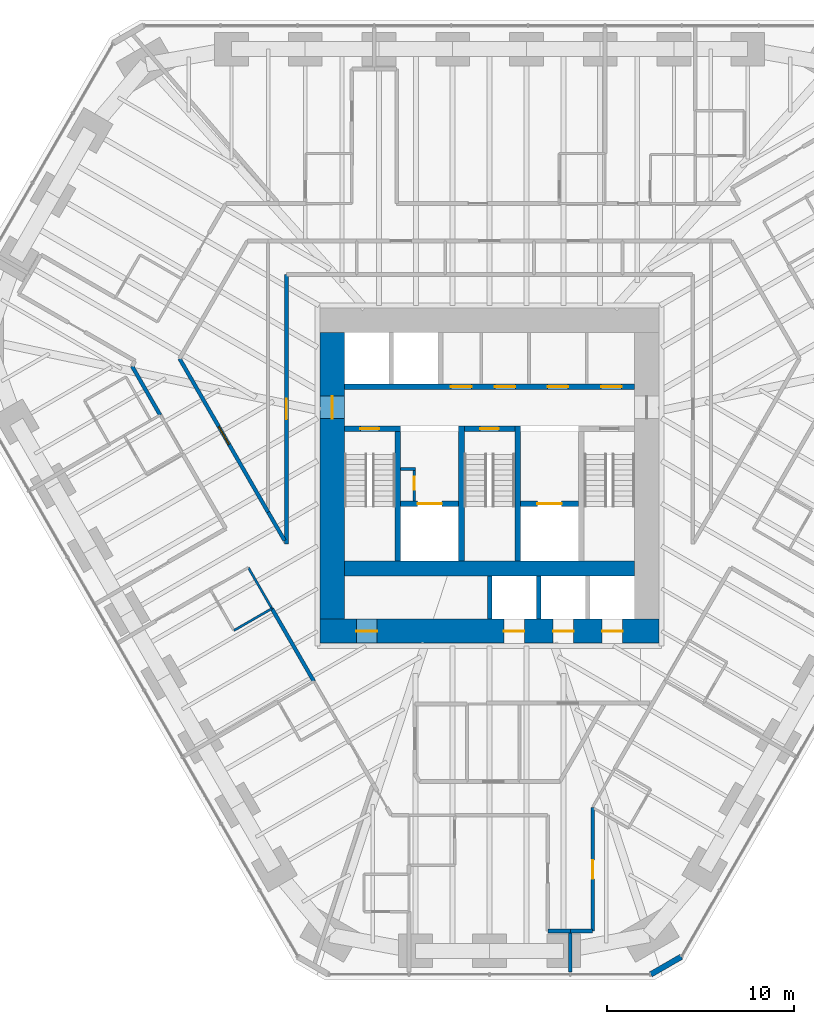
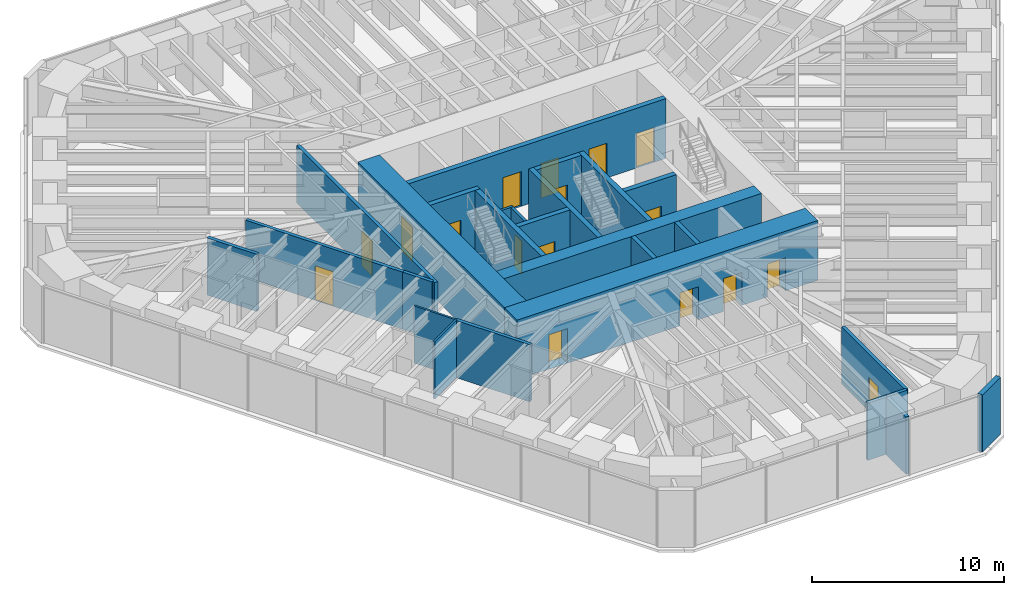
# One storey, part 12 of 16: 27 walls, 17 doors, 17 openings.
"""IFC4 building model written with IfcOpenShell, lengths in metres."""

import ifcopenshell
import ifcopenshell.guid

model = None  # the IFC model being written
_history = None  # IfcOwnerHistory: only IFC2X3 demands one
_inside = {}  # id of a spatial element -> (the spatial element, [elements in it])
_under = {}  # id of a project, library or spatial element -> (it, [spatial elements below it])
_declared = {}  # id of a project -> (the project, [libraries it declares])
_typed = {}  # id of a type object -> (the type object, [elements of that type])
_made_of = {}  # id of a material, layer set ... -> (it, [elements and type objects made of it])


def new_model(schema):
    """Start an empty IFC model of exactly this schema.

    Asked for "IFC4X3", IfcOpenShell would pick the latest addendum, in which some entities
    have other attributes; the version numbers below select the first issue.
    IFC2X3 requires an IfcOwnerHistory on every rooted entity: one is made here for all.
    """
    global model, _history
    if schema == "IFC4X3":
        model = ifcopenshell.file(schema_version=(4, 3, 0, 0))
    else:
        model = ifcopenshell.file(schema=schema)
    _inside.clear()
    _under.clear()
    _declared.clear()
    _typed.clear()
    _made_of.clear()
    _history = None
    if model.schema == "IFC2X3":
        org = make("IfcOrganization", Name="unknown")
        user = make(
            "IfcPersonAndOrganization",
            ThePerson=make("IfcPerson", FamilyName="unknown"),
            TheOrganization=org,
        )
        app = make(
            "IfcApplication",
            ApplicationDeveloper=org,
            Version="unknown",
            ApplicationFullName="unknown",
            ApplicationIdentifier="unknown",
        )
        _history = make(
            "IfcOwnerHistory",
            OwningUser=user,
            OwningApplication=app,
            ChangeAction="ADDED",
            CreationDate=0,
        )
    return model


def make(cls, **values):
    """One entity of the class cls with the attributes given. An attribute that is None is left unset."""
    return model.create_entity(
        cls, **{name: value for name, value in values.items() if value is not None}
    )


def rooted(cls, **values):
    """An entity with a GlobalId (a new one), such as an element, a storey or a relation."""
    return make(cls, GlobalId=ifcopenshell.guid.new(), OwnerHistory=_history, **values)


def si_unit(unit_type, name, prefix=None):
    """IfcSIUnit, for example si_unit("LENGTHUNIT", "METRE", prefix="MILLI")."""
    return make("IfcSIUnit", UnitType=unit_type, Prefix=prefix, Name=name)


def assignment(units):
    """IfcUnitAssignment: the units of a project."""
    return None if units is None else make("IfcUnitAssignment", Units=units)


def point(xyz):
    """IfcCartesianPoint."""
    return None if xyz is None else make("IfcCartesianPoint", Coordinates=xyz)


def direction(xyz):
    """IfcDirection."""
    return None if xyz is None else make("IfcDirection", DirectionRatios=xyz)


def frame(location, z_axis=None, x_axis=None):
    """IfcAxis2Placement3D, a coordinate frame: its origin and axes. An axis left out is left unset."""
    return make(
        "IfcAxis2Placement3D",
        Location=point(location),
        Axis=direction(z_axis),
        RefDirection=direction(x_axis),
    )


def frame_2d(location, x_axis=None):
    """IfcAxis2Placement2D, a coordinate frame in the plane: its origin and x axis."""
    return make(
        "IfcAxis2Placement2D", Location=point(location), RefDirection=direction(x_axis)
    )


def origin():
    """The frame at (0, 0, 0) with its axes left unset."""
    return frame((0.0, 0.0, 0.0))


def place(relative_to, where):
    """IfcLocalPlacement: puts the frame where relative to a parent placement (None: the world)."""
    return make(
        "IfcLocalPlacement", PlacementRelTo=relative_to, RelativePlacement=where
    )


def context(
    kind, dimensions, precision=None, world=None, true_north=None, identifier=None
):
    """IfcGeometricRepresentationContext, for example the 3D "Model" context."""
    return make(
        "IfcGeometricRepresentationContext",
        ContextIdentifier=identifier,
        ContextType=kind,
        CoordinateSpaceDimension=dimensions,
        Precision=precision,
        WorldCoordinateSystem=world,
        TrueNorth=true_north,
    )


def subcontext(parent, identifier, kind, view, scale=None):
    """IfcGeometricRepresentationSubContext, for example "Body" below "Model"."""
    return make(
        "IfcGeometricRepresentationSubContext",
        ContextIdentifier=identifier,
        ContextType=kind,
        ParentContext=parent,
        TargetScale=scale,
        TargetView=view,
    )


def project(units=None, contexts=None):
    """IfcProject with its units and contexts."""
    return rooted(
        "IfcProject",
        Name="project",
        RepresentationContexts=contexts,
        UnitsInContext=assignment(units),
    )


def spatial(cls, under=None, at=None, **own):
    """A site, building, storey or space (cls), placed at a placement, below another one or the project."""
    s = rooted(cls, ObjectPlacement=at, **own)
    if under is not None:
        _under.setdefault(under.id(), (under, []))[1].append(s)
    return s


def profile(cls, at=None, kind="AREA", **sizes):
    """A parametric profile (cls). Its sizes go by their IFC names, for example OverallWidth=200.0."""
    return make(cls, ProfileType=kind, Position=at, **sizes)


def rectangle(**sizes):
    """IfcRectangleProfileDef."""
    return profile("IfcRectangleProfileDef", **sizes)


def extrude(swept, where, along, depth):
    """IfcExtrudedAreaSolid: the profile swept, set in the frame where, extruded along a direction by depth."""
    return make(
        "IfcExtrudedAreaSolid",
        SweptArea=swept,
        Position=where,
        ExtrudedDirection=direction(along),
        Depth=depth,
    )


def shape(context_of_items, identifier, shape_type, items):
    """IfcShapeRepresentation: the items that make up one representation, for example the "Body"."""
    return make(
        "IfcShapeRepresentation",
        ContextOfItems=context_of_items,
        RepresentationIdentifier=identifier,
        RepresentationType=shape_type,
        Items=items,
    )


def material(Name=None, Category=None):
    """IfcMaterial."""
    return make("IfcMaterial", Name=Name, Category=Category)


def layer(
    of_material, thickness, ventilated=None, Name=None, Category=None, Priority=None
):
    """IfcMaterialLayer: one layer of a wall or slab, of a material (None: an air gap)."""
    return make(
        "IfcMaterialLayer",
        Material=of_material,
        LayerThickness=thickness,
        IsVentilated=ventilated,
        Name=Name,
        Category=Category,
        Priority=Priority,
    )


def layer_set(layers, Name=None):
    """IfcMaterialLayerSet."""
    return make("IfcMaterialLayerSet", MaterialLayers=layers, LayerSetName=Name)


def made_of(thing, what):
    """Note that an element or type object is made of a material, layer set ...; save() writes the relation."""
    if what is not None:
        _made_of.setdefault(what.id(), (what, []))[1].append(thing)
    return thing


def type_object(cls, material=None, **own):
    """A type object (cls), such as IfcWallType, which elements share."""
    return made_of(rooted(cls, **own), material)


def element(
    cls,
    number,
    at=None,
    inside=None,
    cuts=None,
    type_object=None,
    material=None,
    context=None,
    identifier="Body",
    shape_type=None,
    held_by="IfcProductDefinitionShape",
    body=None,
    shapes=None,
    **own,
):
    """One element of the class cls, such as IfcWall. Its Tag is "e" and its number.

    at: its placement. inside: the storey or other place that contains it. cuts: it is an
    opening in that element (IfcRelVoidsElement). A single representation is given by context,
    identifier, shape_type and body (its items); several are given by shapes. held_by: the class
    of the entity that holds the representations. save() writes the other relations.
    """
    e = rooted(cls, Tag="e%d" % number, ObjectPlacement=at, **own)
    if body is not None:
        shapes = [shape(context, identifier, shape_type, body)]
    if shapes is not None:
        e.Representation = make(held_by, Representations=shapes)
    if inside is not None:
        _inside.setdefault(inside.id(), (inside, []))[1].append(e)
    if cuts is not None:
        rooted(
            "IfcRelVoidsElement", RelatingBuildingElement=cuts, RelatedOpeningElement=e
        )
    if type_object is not None:
        _typed.setdefault(type_object.id(), (type_object, []))[1].append(e)
    return made_of(e, material)


def fill(opening, filler):
    """IfcRelFillsElement: the door or window that sits in an opening."""
    return rooted(
        "IfcRelFillsElement",
        RelatingOpeningElement=opening,
        RelatedBuildingElement=filler,
    )


def aggregate(whole, parts):
    """IfcRelAggregates: a whole, such as a stair, and the parts it consists of."""
    return rooted("IfcRelAggregates", RelatingObject=whole, RelatedObjects=parts)


def save(model, path):
    """Write the relations noted so far, then the file.

    IfcRelAggregates (storeys below a building ...), IfcRelContainedInSpatialStructure (elements
    in a storey), IfcRelDefinesByType, IfcRelAssociatesMaterial and IfcRelDeclares: one each for
    every whole, place, type object, material and project.
    """
    for whole, parts in _under.values():
        aggregate(whole, parts)
    for where, things in _inside.values():
        rooted(
            "IfcRelContainedInSpatialStructure",
            RelatedElements=things,
            RelatingStructure=where,
        )
    for kind, things in _typed.values():
        rooted("IfcRelDefinesByType", RelatedObjects=things, RelatingType=kind)
    for what, things in _made_of.values():
        rooted("IfcRelAssociatesMaterial", RelatedObjects=things, RelatingMaterial=what)
    for by, libraries in _declared.values():
        rooted("IfcRelDeclares", RelatingContext=by, RelatedDefinitions=libraries)
    model.write(path)


model = new_model("IFC4")

# Units and contexts
model_context = context("Model", 3, precision=1e-05, world=origin(), true_north=direction((0.0, 1.0)))
body_context = subcontext(model_context, "Body", "Model", "MODEL_VIEW")
ifc_project = project(units=[si_unit("LENGTHUNIT", "METRE"), si_unit("AREAUNIT", "SQUARE_METRE"), si_unit("VOLUMEUNIT", "CUBIC_METRE"), si_unit("PLANEANGLEUNIT", "RADIAN"), si_unit("MASSUNIT", "GRAM", prefix="KILO")], contexts=[model_context])

# Site, building, storey
site_placement = place(None, origin())
site = spatial("IfcSite", under=ifc_project, at=site_placement, CompositionType="ELEMENT")
building_placement = place(site_placement, origin())
building = spatial("IfcBuilding", under=site, at=building_placement, Name="Sandreach Pilgrim Tower", CompositionType="ELEMENT")
storey_placement = place(building_placement, frame((0.0, 0.0, 115.800048828125)))
storey = spatial("IfcBuildingStorey", under=building, at=storey_placement, Name="L28", CompositionType="ELEMENT", Elevation=115.800048828125)

# Walls
ifc_material_1 = material(Name="Moisture-resistant gypsum board on steel studs", Category="steel")
ifc_layer_1 = layer(ifc_material_1, 0.1201171875)
ifc_layer_set_1 = layer_set([ifc_layer_1], Name="Bathroom partition 120")
wall_type_1 = type_object("IfcWallType", Name="Bathroom partition 120", PredefinedType="PARTITIONING", material=ifc_layer_set_1)
wall_1_placement = place(storey_placement, frame((-13.659912109375, -9.820068359375, 0.0), z_axis=(0.0, 0.0, 1.0), x_axis=(0.866345142729, 0.499445786517, 0.0)))
element("IfcWall", 1, at=wall_1_placement, inside=storey, type_object=wall_type_1, Name="Bathroom partition L28-030", PredefinedType="PARTITIONING", context=body_context, shape_type="SweptSolid", body=[
    extrude(rectangle(XDim=2.343017578125, YDim=0.1201171875, at=frame_2d((1.17138671875, 0.0))), origin(), (0.0, 0.0, 1.0), 3.639892578125),
])
wall_2_placement = place(storey_placement, frame((-12.889892578125, -6.4599609375, 0.0), z_axis=(0.0, 0.0, 1.0), x_axis=(0.498707120669, -0.866770562372, 0.0)))
element("IfcWall", 2, at=wall_2_placement, inside=storey, type_object=wall_type_1, Name="Bathroom partition L28-032", PredefinedType="PARTITIONING", context=body_context, shape_type="SweptSolid", body=[
    extrude(rectangle(XDim=2.526611328125, YDim=0.1201171875, at=frame_2d((1.26318359375, 0.0))), origin(), (0.0, 0.0, 1.0), 3.639892578125),
])
ifc_material_2 = material(Name="Concrete 10000 psi", Category="concrete")
ifc_layer_2 = layer(ifc_material_2, 0.300048828125)
ifc_layer_set_2 = layer_set([ifc_layer_2], Name="Core inner wall 300")
wall_type_2 = type_object("IfcWallType", Name="Core inner wall 300", PredefinedType="SHEAR", material=ifc_layer_set_2)
for number, where, z_axis, x_axis, name in (
    (3, (-4.89990234375, -6.10009765625, 0.0), (0.0, 0.0, 1.0), (0.0, 1.0, 0.0), "Core wall I0 L28"),
    (4, (-1.5, -6.10009765625, 0.0), (0.0, 0.0, 1.0), (0.0, 1.0, 0.0), "Core wall I1 L28"),
    (5, (1.5, -6.10009765625, 0.0), (0.0, 0.0, 1.0), (0.0, 1.0, 0.0), "Core wall I2 L28"),
):
    element("IfcWall", number, at=place(storey_placement, frame(where, z_axis=z_axis, x_axis=x_axis)), inside=storey, type_object=wall_type_2, Name=name, PredefinedType="SHEAR", context=body_context, shape_type="SweptSolid", body=[
        extrude(rectangle(XDim=7.2001953125, YDim=0.300048828125, at=frame_2d((3.60009765625, 0.0))), origin(), (0.0, 0.0, 1.0), 3.800048828125),
    ])

# Wall, opening, door
wall_3_placement = place(storey_placement, frame((-7.75, 0.949951171875, 0.0), z_axis=(0.0, 0.0, 1.0), x_axis=(1.0, 0.0, 0.0)))
wall_3 = element("IfcWall", 6, at=wall_3_placement, inside=storey, type_object=wall_type_2, Name="Core wall SN1 L28", PredefinedType="SHEAR", context=body_context, shape_type="SweptSolid", body=[
    extrude(rectangle(XDim=3.0, YDim=0.300048828125, at=frame_2d((1.5, 0.0))), origin(), (0.0, 0.0, 1.0), 3.800048828125),
])
opening_1_placement = place(wall_3_placement, frame((0.85009765625, 0.0, 0.0)))
opening_1 = element("IfcOpeningElement", 7, at=opening_1_placement, cuts=wall_3, Name="Opening D10S-ST1", PredefinedType="OPENING", context=body_context, shape_type="SweptSolid", body=[
    extrude(rectangle(XDim=1.0, YDim=2.199951171875, at=frame_2d((0.5, 1.10009765625))), frame((0.0, 0.14990234375, 0.0), z_axis=(0.0, -1.0, 0.0), x_axis=(1.0, 0.0, 0.0)), (0.0, 0.0, 1.0), 0.300048828125),
])
ifc_material_3 = material(Name="Steel door and frame", Category="steel")
door_type_1 = type_object("IfcDoorType", Name="Stair door", OperationType="SINGLE_SWING_LEFT", PredefinedType="DOOR", material=ifc_material_3)
door_1_placement = place(opening_1_placement, origin())
door_1 = element("IfcDoor", 8, at=door_1_placement, inside=storey, type_object=door_type_1, Name="Stair door ST1 L28", OperationType="SINGLE_SWING_LEFT", OverallHeight=2.199951171875, OverallWidth=1.0, PredefinedType="DOOR", context=body_context, shape_type="SweptSolid", body=[
    extrude(rectangle(XDim=1.0, YDim=2.199951171875, at=frame_2d((0.5, 1.10009765625))), frame((0.0, 0.02490234375, 0.0), z_axis=(0.0, -1.0, 0.0), x_axis=(1.0, 0.0, 0.0)), (0.0, 0.0, 1.0), 0.050048828125),
])
fill(opening_1, door_1)

wall_4_placement = place(storey_placement, frame((-1.35009765625, 0.949951171875, 0.0), z_axis=(0.0, 0.0, 1.0), x_axis=(1.0, 0.0, 0.0)))
wall_4 = element("IfcWall", 9, at=wall_4_placement, inside=storey, type_object=wall_type_2, Name="Core wall SN3 L28", PredefinedType="SHEAR", context=body_context, shape_type="SweptSolid", body=[
    extrude(rectangle(XDim=2.7001953125, YDim=0.300048828125, at=frame_2d((1.35009765625, 0.0))), origin(), (0.0, 0.0, 1.0), 3.800048828125),
])
opening_2_placement = place(wall_4_placement, frame((0.85009765625, 0.0, 0.0)))
opening_2 = element("IfcOpeningElement", 10, at=opening_2_placement, cuts=wall_4, Name="Opening D10S-ST3", PredefinedType="OPENING", context=body_context, shape_type="SweptSolid", body=[
    extrude(rectangle(XDim=1.0, YDim=2.199951171875, at=frame_2d((0.5, 1.10009765625))), frame((0.0, 0.14990234375, 0.0), z_axis=(0.0, -1.0, 0.0), x_axis=(1.0, 0.0, 0.0)), (0.0, 0.0, 1.0), 0.300048828125),
])
door_2_placement = place(opening_2_placement, origin())
door_2 = element("IfcDoor", 11, at=door_2_placement, inside=storey, type_object=door_type_1, Name="Stair door ST3 L28", OperationType="SINGLE_SWING_LEFT", OverallHeight=2.199951171875, OverallWidth=1.0, PredefinedType="DOOR", context=body_context, shape_type="SweptSolid", body=[
    extrude(rectangle(XDim=1.0, YDim=2.199951171875, at=frame_2d((0.5, 1.10009765625))), frame((0.0, 0.02490234375, 0.0), z_axis=(0.0, -1.0, 0.0), x_axis=(1.0, 0.0, 0.0)), (0.0, 0.0, 1.0), 0.050048828125),
])
fill(opening_2, door_2)

wall_5_placement = place(storey_placement, frame((-4.75, -3.050048828125, 0.0), z_axis=(0.0, 0.0, 1.0), x_axis=(1.0, 0.0, 0.0)))
wall_5 = element("IfcWall", 12, at=wall_5_placement, inside=storey, type_object=wall_type_2, Name="Core wall FL1 L28", PredefinedType="SHEAR", context=body_context, shape_type="SweptSolid", body=[
    extrude(rectangle(XDim=3.10009765625, YDim=0.300048828125, at=frame_2d((1.550048828125, 0.0))), origin(), (0.0, 0.0, 1.0), 3.800048828125),
])
opening_3_placement = place(wall_5_placement, frame((0.89990234375, 0.0, 0.0)))
opening_3 = element("IfcOpeningElement", 13, at=opening_3_placement, cuts=wall_5, Name="Opening LD13", PredefinedType="OPENING", context=body_context, shape_type="SweptSolid", body=[
    extrude(rectangle(XDim=1.300048828125, YDim=2.10009765625, at=frame_2d((0.64990234375, 1.050048828125))), frame((0.0, 0.14990234375, 0.0), z_axis=(0.0, -1.0, 0.0), x_axis=(1.0, 0.0, 0.0)), (0.0, 0.0, 1.0), 0.300048828125),
])
ifc_material_4 = material(Name="Steel door and frame", Category="steel")
door_type_2 = type_object("IfcDoorType", Name="Fire service lift landing door", OperationType="DOUBLE_DOOR_SLIDING", PredefinedType="DOOR", material=ifc_material_4)
door_3_placement = place(opening_3_placement, origin())
door_3 = element("IfcDoor", 14, at=door_3_placement, inside=storey, type_object=door_type_2, Name="Lift landing door FS1 L28", OperationType="DOUBLE_DOOR_SLIDING", OverallHeight=2.10009765625, OverallWidth=1.300048828125, PredefinedType="DOOR", context=body_context, shape_type="SweptSolid", body=[
    extrude(rectangle(XDim=1.300048828125, YDim=2.10009765625, at=frame_2d((0.64990234375, 1.050048828125))), frame((0.0, 0.02490234375, 0.0), z_axis=(0.0, -1.0, 0.0), x_axis=(1.0, 0.0, 0.0)), (0.0, 0.0, 1.0), 0.050048828125),
])
fill(opening_3, door_3)

wall_6_placement = place(storey_placement, frame((1.64990234375, -3.050048828125, 0.0), z_axis=(0.0, 0.0, 1.0), x_axis=(1.0, 0.0, 0.0)))
wall_6 = element("IfcWall", 15, at=wall_6_placement, inside=storey, type_object=wall_type_2, Name="Core wall FL2 L28", PredefinedType="SHEAR", context=body_context, shape_type="SweptSolid", body=[
    extrude(rectangle(XDim=3.10009765625, YDim=0.300048828125, at=frame_2d((1.550048828125, 0.0))), origin(), (0.0, 0.0, 1.0), 3.800048828125),
])
opening_4_placement = place(wall_6_placement, frame((0.89990234375, 0.0, 0.0)))
opening_4 = element("IfcOpeningElement", 16, at=opening_4_placement, cuts=wall_6, Name="Opening LD13", PredefinedType="OPENING", context=body_context, shape_type="SweptSolid", body=[
    extrude(rectangle(XDim=1.300048828125, YDim=2.10009765625, at=frame_2d((0.64990234375, 1.050048828125))), frame((0.0, 0.14990234375, 0.0), z_axis=(0.0, -1.0, 0.0), x_axis=(1.0, 0.0, 0.0)), (0.0, 0.0, 1.0), 0.300048828125),
])
door_4_placement = place(opening_4_placement, origin())
door_4 = element("IfcDoor", 17, at=door_4_placement, inside=storey, type_object=door_type_2, Name="Lift landing door FS2 L28", OperationType="DOUBLE_DOOR_SLIDING", OverallHeight=2.10009765625, OverallWidth=1.300048828125, PredefinedType="DOOR", context=body_context, shape_type="SweptSolid", body=[
    extrude(rectangle(XDim=1.300048828125, YDim=2.10009765625, at=frame_2d((0.64990234375, 1.050048828125))), frame((0.0, 0.02490234375, 0.0), z_axis=(0.0, -1.0, 0.0), x_axis=(1.0, 0.0, 0.0)), (0.0, 0.0, 1.0), 0.050048828125),
])
fill(opening_4, door_4)

# Wall, openings, doors
wall_7_placement = place(storey_placement, frame((-7.75, 3.199951171875, 0.0), z_axis=(0.0, 0.0, 1.0), x_axis=(1.0, 0.0, 0.0)))
wall_7 = element("IfcWall", 18, at=wall_7_placement, inside=storey, type_object=wall_type_2, Name="Core wall PN L28", PredefinedType="SHEAR", context=body_context, shape_type="SweptSolid", body=[
    extrude(rectangle(XDim=15.5, YDim=0.300048828125, at=frame_2d((7.75, 0.0))), origin(), (0.0, 0.0, 1.0), 3.800048828125),
])
opening_5_placement = place(wall_7_placement, frame((5.6875, 0.0, 0.0)))
opening_5 = element("IfcOpeningElement", 19, at=opening_5_placement, cuts=wall_7, Name="Opening D11L", PredefinedType="OPENING", context=body_context, shape_type="SweptSolid", body=[
    extrude(rectangle(XDim=1.10009765625, YDim=2.199951171875, at=frame_2d((0.550048828125, 1.10009765625))), frame((0.0, 0.14990234375, 0.0), z_axis=(0.0, -1.0, 0.0), x_axis=(1.0, 0.0, 0.0)), (0.0, 0.0, 1.0), 0.300048828125),
])
opening_6_placement = place(wall_7_placement, frame((8.03125, 0.0, 0.0)))
opening_6 = element("IfcOpeningElement", 20, at=opening_6_placement, cuts=wall_7, Name="Opening D11L", PredefinedType="OPENING", context=body_context, shape_type="SweptSolid", body=[
    extrude(rectangle(XDim=1.10009765625, YDim=2.199951171875, at=frame_2d((0.550048828125, 1.10009765625))), frame((0.0, 0.14990234375, 0.0), z_axis=(0.0, -1.0, 0.0), x_axis=(1.0, 0.0, 0.0)), (0.0, 0.0, 1.0), 0.300048828125),
])
opening_7_placement = place(wall_7_placement, frame((10.85009765625, 0.0, 0.0)))
opening_7 = element("IfcOpeningElement", 21, at=opening_7_placement, cuts=wall_7, Name="Opening D11L", PredefinedType="OPENING", context=body_context, shape_type="SweptSolid", body=[
    extrude(rectangle(XDim=1.10009765625, YDim=2.199951171875, at=frame_2d((0.550048828125, 1.10009765625))), frame((0.0, 0.14990234375, 0.0), z_axis=(0.0, -1.0, 0.0), x_axis=(1.0, 0.0, 0.0)), (0.0, 0.0, 1.0), 0.300048828125),
])
opening_8_placement = place(wall_7_placement, frame((13.706298828125, 0.0, 0.0)))
opening_8 = element("IfcOpeningElement", 22, at=opening_8_placement, cuts=wall_7, Name="Opening D11L", PredefinedType="OPENING", context=body_context, shape_type="SweptSolid", body=[
    extrude(rectangle(XDim=1.10009765625, YDim=2.199951171875, at=frame_2d((0.550048828125, 1.10009765625))), frame((0.0, 0.14990234375, 0.0), z_axis=(0.0, -1.0, 0.0), x_axis=(1.0, 0.0, 0.0)), (0.0, 0.0, 1.0), 0.300048828125),
])
ifc_material_5 = material(Name="Steel door and frame, smoke seals", Category="steel")
door_type_3 = type_object("IfcDoorType", Name="Core room door", OperationType="SINGLE_SWING_LEFT", PredefinedType="DOOR", material=ifc_material_5)
door_5_placement = place(opening_5_placement, origin())
door_5 = element("IfcDoor", 23, at=door_5_placement, inside=storey, type_object=door_type_3, Name="Door linen and housekeeping store 28K1", OperationType="SINGLE_SWING_LEFT", OverallHeight=2.199951171875, OverallWidth=1.10009765625, PredefinedType="DOOR", context=body_context, shape_type="SweptSolid", body=[
    extrude(rectangle(XDim=1.10009765625, YDim=2.199951171875, at=frame_2d((0.550048828125, 1.10009765625))), frame((0.0, 0.02490234375, 0.0), z_axis=(0.0, -1.0, 0.0), x_axis=(1.0, 0.0, 0.0)), (0.0, 0.0, 1.0), 0.050048828125),
])
fill(opening_5, door_5)
door_6_placement = place(opening_6_placement, origin())
door_6 = element("IfcDoor", 24, at=door_6_placement, inside=storey, type_object=door_type_3, Name="Door cleaners store 28K2", OperationType="SINGLE_SWING_RIGHT", OverallHeight=2.199951171875, OverallWidth=1.10009765625, PredefinedType="DOOR", context=body_context, shape_type="SweptSolid", body=[
    extrude(rectangle(XDim=1.10009765625, YDim=2.199951171875, at=frame_2d((0.550048828125, 1.10009765625))), frame((0.0, 0.02490234375, 0.0), z_axis=(0.0, -1.0, 0.0), x_axis=(1.0, 0.0, 0.0)), (0.0, 0.0, 1.0), 0.050048828125),
])
fill(opening_6, door_6)
door_7_placement = place(opening_7_placement, origin())
door_7 = element("IfcDoor", 25, at=door_7_placement, inside=storey, type_object=door_type_3, Name="Door storage room 28K3", OperationType="SINGLE_SWING_RIGHT", OverallHeight=2.199951171875, OverallWidth=1.10009765625, PredefinedType="DOOR", context=body_context, shape_type="SweptSolid", body=[
    extrude(rectangle(XDim=1.10009765625, YDim=2.199951171875, at=frame_2d((0.550048828125, 1.10009765625))), frame((0.0, 0.02490234375, 0.0), z_axis=(0.0, -1.0, 0.0), x_axis=(1.0, 0.0, 0.0)), (0.0, 0.0, 1.0), 0.050048828125),
])
fill(opening_7, door_7)
door_8_placement = place(opening_8_placement, origin())
door_8 = element("IfcDoor", 26, at=door_8_placement, inside=storey, type_object=door_type_3, Name="Door refuse room 28K4", OperationType="SINGLE_SWING_RIGHT", OverallHeight=2.199951171875, OverallWidth=1.10009765625, PredefinedType="DOOR", context=body_context, shape_type="SweptSolid", body=[
    extrude(rectangle(XDim=1.10009765625, YDim=2.199951171875, at=frame_2d((0.550048828125, 1.10009765625))), frame((0.0, 0.02490234375, 0.0), z_axis=(0.0, -1.0, 0.0), x_axis=(1.0, 0.0, 0.0)), (0.0, 0.0, 1.0), 0.050048828125),
])
fill(opening_8, door_8)

# Wall
ifc_material_6 = material(Name="Concrete 10000 psi", Category="concrete")
ifc_layer_3 = layer(ifc_material_6, 0.800048828125)
ifc_layer_set_3 = layer_set([ifc_layer_3], Name="Core mid wall 800")
wall_type_3 = type_object("IfcWallType", Name="Core mid wall 800", PredefinedType="SHEAR", material=ifc_layer_set_3)
wall_8_placement = place(storey_placement, frame((-7.75, -6.5, 0.0), z_axis=(0.0, 0.0, 1.0), x_axis=(1.0, 0.0, 0.0)))
element("IfcWall", 27, at=wall_8_placement, inside=storey, type_object=wall_type_3, Name="Core wall M L28", PredefinedType="SHEAR", context=body_context, shape_type="SweptSolid", body=[
    extrude(rectangle(XDim=15.5, YDim=0.800048828125, at=frame_2d((7.75, 0.0))), origin(), (0.0, 0.0, 1.0), 3.800048828125),
])

# Wall, openings, doors
ifc_material_7 = material(Name="Concrete 10000 psi", Category="concrete")
ifc_layer_4 = layer(ifc_material_7, 1.300048828125)
ifc_layer_set_4 = layer_set([ifc_layer_4], Name="Core wall 1300")
wall_type_4 = type_object("IfcWallType", Name="Core wall 1300", PredefinedType="SHEAR", material=ifc_layer_set_4)
wall_9_placement = place(storey_placement, frame((-9.050048828125, -9.85009765625, 0.0), z_axis=(0.0, 0.0, 1.0), x_axis=(1.0, 0.0, 0.0)))
wall_9 = element("IfcWall", 28, at=wall_9_placement, inside=storey, type_object=wall_type_4, Name="Core wall S L28", PredefinedType="SHEAR", context=body_context, shape_type="SweptSolid", body=[
    extrude(rectangle(XDim=18.10009765625, YDim=1.300048828125, at=frame_2d((9.050048828125, 0.0))), origin(), (0.0, 0.0, 1.0), 3.800048828125),
])
opening_9_placement = place(wall_9_placement, frame((1.9375, 0.0, 0.0)))
opening_9 = element("IfcOpeningElement", 29, at=opening_9_placement, cuts=wall_9, Name="Opening D11H", PredefinedType="OPENING", context=body_context, shape_type="SweptSolid", body=[
    extrude(rectangle(XDim=1.10009765625, YDim=2.199951171875, at=frame_2d((0.550048828125, 1.10009765625))), frame((0.0, 0.64990234375, 0.0), z_axis=(0.0, -1.0, 0.0), x_axis=(1.0, 0.0, 0.0)), (0.0, 0.0, 1.0), 1.300048828125),
])
opening_10_placement = place(wall_9_placement, frame((9.8125, 0.0, 0.0)))
opening_10 = element("IfcOpeningElement", 30, at=opening_10_placement, cuts=wall_9, Name="Opening LD11", PredefinedType="OPENING", context=body_context, shape_type="SweptSolid", body=[
    extrude(rectangle(XDim=1.10009765625, YDim=2.10009765625, at=frame_2d((0.550048828125, 1.050048828125))), frame((0.0, 0.64990234375, 0.0), z_axis=(0.0, -1.0, 0.0), x_axis=(1.0, 0.0, 0.0)), (0.0, 0.0, 1.0), 1.300048828125),
])
opening_11_placement = place(wall_9_placement, frame((12.4375, 0.0, 0.0)))
opening_11 = element("IfcOpeningElement", 31, at=opening_11_placement, cuts=wall_9, Name="Opening LD11", PredefinedType="OPENING", context=body_context, shape_type="SweptSolid", body=[
    extrude(rectangle(XDim=1.10009765625, YDim=2.10009765625, at=frame_2d((0.550048828125, 1.050048828125))), frame((0.0, 0.64990234375, 0.0), z_axis=(0.0, -1.0, 0.0), x_axis=(1.0, 0.0, 0.0)), (0.0, 0.0, 1.0), 1.300048828125),
])
opening_12_placement = place(wall_9_placement, frame((15.0625, 0.0, 0.0)))
opening_12 = element("IfcOpeningElement", 32, at=opening_12_placement, cuts=wall_9, Name="Opening LD11", PredefinedType="OPENING", context=body_context, shape_type="SweptSolid", body=[
    extrude(rectangle(XDim=1.10009765625, YDim=2.10009765625, at=frame_2d((0.550048828125, 1.050048828125))), frame((0.0, 0.64990234375, 0.0), z_axis=(0.0, -1.0, 0.0), x_axis=(1.0, 0.0, 0.0)), (0.0, 0.0, 1.0), 1.300048828125),
])
ifc_material_8 = material(Name="Steel door and frame", Category="steel")
door_type_4 = type_object("IfcDoorType", Name="Back of house door", OperationType="SINGLE_SWING_LEFT", PredefinedType="DOOR", material=ifc_material_8)
door_9_placement = place(opening_9_placement, origin())
door_9 = element("IfcDoor", 33, at=door_9_placement, inside=storey, type_object=door_type_4, Name="Door staff room 28K5", OperationType="SINGLE_SWING_LEFT", OverallHeight=2.199951171875, OverallWidth=1.10009765625, PredefinedType="DOOR", context=body_context, shape_type="SweptSolid", body=[
    extrude(rectangle(XDim=1.10009765625, YDim=2.199951171875, at=frame_2d((0.550048828125, 1.10009765625))), frame((0.0, 0.02490234375, 0.0), z_axis=(0.0, -1.0, 0.0), x_axis=(1.0, 0.0, 0.0)), (0.0, 0.0, 1.0), 0.050048828125),
])
fill(opening_9, door_9)
ifc_material_9 = material(Name="Steel door and frame", Category="steel")
door_type_5 = type_object("IfcDoorType", Name="Lift landing door", OperationType="DOUBLE_DOOR_SLIDING", PredefinedType="DOOR", material=ifc_material_9)
door_10_placement = place(opening_10_placement, origin())
door_10 = element("IfcDoor", 34, at=door_10_placement, inside=storey, type_object=door_type_5, Name="Lift landing door Z2A L28", OperationType="DOUBLE_DOOR_SLIDING", OverallHeight=2.10009765625, OverallWidth=1.10009765625, PredefinedType="DOOR", context=body_context, shape_type="SweptSolid", body=[
    extrude(rectangle(XDim=1.10009765625, YDim=2.10009765625, at=frame_2d((0.550048828125, 1.050048828125))), frame((0.0, 0.02490234375, 0.0), z_axis=(0.0, -1.0, 0.0), x_axis=(1.0, 0.0, 0.0)), (0.0, 0.0, 1.0), 0.050048828125),
])
fill(opening_10, door_10)
door_11_placement = place(opening_11_placement, origin())
door_11 = element("IfcDoor", 35, at=door_11_placement, inside=storey, type_object=door_type_5, Name="Lift landing door Z2B L28", OperationType="DOUBLE_DOOR_SLIDING", OverallHeight=2.10009765625, OverallWidth=1.10009765625, PredefinedType="DOOR", context=body_context, shape_type="SweptSolid", body=[
    extrude(rectangle(XDim=1.10009765625, YDim=2.10009765625, at=frame_2d((0.550048828125, 1.050048828125))), frame((0.0, 0.02490234375, 0.0), z_axis=(0.0, -1.0, 0.0), x_axis=(1.0, 0.0, 0.0)), (0.0, 0.0, 1.0), 0.050048828125),
])
fill(opening_11, door_11)
door_12_placement = place(opening_12_placement, origin())
door_12 = element("IfcDoor", 36, at=door_12_placement, inside=storey, type_object=door_type_5, Name="Lift landing door Z2C L28", OperationType="DOUBLE_DOOR_SLIDING", OverallHeight=2.10009765625, OverallWidth=1.10009765625, PredefinedType="DOOR", context=body_context, shape_type="SweptSolid", body=[
    extrude(rectangle(XDim=1.10009765625, YDim=2.10009765625, at=frame_2d((0.550048828125, 1.050048828125))), frame((0.0, 0.02490234375, 0.0), z_axis=(0.0, -1.0, 0.0), x_axis=(1.0, 0.0, 0.0)), (0.0, 0.0, 1.0), 0.050048828125),
])
fill(opening_12, door_12)

# Wall, opening, door
wall_10_placement = place(storey_placement, frame((-8.39990234375, -9.199951171875, 0.0), z_axis=(0.0, 0.0, 1.0), x_axis=(0.0, 1.0, 0.0)))
wall_10 = element("IfcWall", 37, at=wall_10_placement, inside=storey, type_object=wall_type_4, Name="Core wall W L28", PredefinedType="SHEAR", context=body_context, shape_type="SweptSolid", body=[
    extrude(rectangle(XDim=15.300048828125, YDim=1.300048828125, at=frame_2d((7.64990234375, 0.0))), origin(), (0.0, 0.0, 1.0), 3.800048828125),
])
opening_13_placement = place(wall_10_placement, frame((10.699951171875, 0.0, 0.0)))
opening_13 = element("IfcOpeningElement", 38, at=opening_13_placement, cuts=wall_10, Name="Opening D12F-W", PredefinedType="OPENING", context=body_context, shape_type="SweptSolid", body=[
    extrude(rectangle(XDim=1.199951171875, YDim=2.199951171875, at=frame_2d((0.60009765625, 1.10009765625))), frame((0.0, 0.64990234375, 0.0), z_axis=(0.0, -1.0, 0.0), x_axis=(1.0, 0.0, 0.0)), (0.0, 0.0, 1.0), 1.300048828125),
])
ifc_material_10 = material(Name="Steel door and frame", Category="steel")
door_type_6 = type_object("IfcDoorType", Name="Fire lobby door", OperationType="SINGLE_SWING_LEFT", PredefinedType="DOOR", material=ifc_material_10)
door_13_placement = place(opening_13_placement, origin())
door_13 = element("IfcDoor", 39, at=door_13_placement, inside=storey, type_object=door_type_6, Name="Fire service lobby door W L28", OperationType="SINGLE_SWING_RIGHT", OverallHeight=2.199951171875, OverallWidth=1.199951171875, PredefinedType="DOOR", context=body_context, shape_type="SweptSolid", body=[
    extrude(rectangle(XDim=1.199951171875, YDim=2.199951171875, at=frame_2d((0.60009765625, 1.10009765625))), frame((0.0, 0.02490234375, 0.0), z_axis=(0.0, -1.0, 0.0), x_axis=(1.0, 0.0, 0.0)), (0.0, 0.0, 1.0), 0.050048828125),
])
fill(opening_13, door_13)

# Wall
ifc_material_11 = material(Name="Gypsum board on steel studs, two layers each side", Category="steel")
ifc_layer_5 = layer(ifc_material_11, 0.199951171875)
ifc_layer_set_5 = layer_set([ifc_layer_5], Name="Corridor wall 200")
wall_type_5 = type_object("IfcWallType", Name="Corridor wall 200", PredefinedType="PARTITIONING", material=ifc_layer_set_5)
wall_11_placement = place(storey_placement, frame((-19.10009765625, 4.300048828125, 0.0), z_axis=(0.0, 0.0, 1.0), x_axis=(0.498268459914, -0.867022803538, 0.0)))
element("IfcWall", 40, at=wall_11_placement, inside=storey, type_object=wall_type_5, Name="Corridor wall L28-014", PredefinedType="PARTITIONING", context=body_context, shape_type="SweptSolid", body=[
    extrude(rectangle(XDim=3.010498046875, YDim=0.199951171875, at=frame_2d((1.50537109375, 0.0))), origin(), (0.0, 0.0, 1.0), 3.639892578125),
])

# Wall, opening, door
wall_12_placement = place(storey_placement, frame((-11.830078125, -3.5, 0.0), z_axis=(0.0, 0.0, 1.0), x_axis=(-0.499662169849, 0.866220362276, 0.0)))
wall_12 = element("IfcWall", 41, at=wall_12_placement, inside=storey, type_object=wall_type_5, Name="Corridor wall L28-033", PredefinedType="PARTITIONING", context=body_context, shape_type="SweptSolid", body=[
    extrude(rectangle(XDim=9.46630859375, YDim=0.199951171875, at=frame_2d((4.733154296875, 0.0))), origin(), (0.0, 0.0, 1.0), 3.639892578125),
])
opening_14_placement = place(wall_12_placement, frame((4.18310546875, 0.0, 0.0)))
opening_14 = element("IfcOpeningElement", 42, at=opening_14_placement, cuts=wall_12, Name="Opening D11H-M01", PredefinedType="OPENING", context=body_context, shape_type="SweptSolid", body=[
    extrude(rectangle(XDim=1.10009765625, YDim=2.199951171875, at=frame_2d((0.550048828125, 1.10009765625))), frame((0.0, 0.10009765625, 0.0), z_axis=(0.0, -1.0, 0.0), x_axis=(1.0, 0.0, 0.0)), (0.0, 0.0, 1.0), 0.199951171875),
])
door_14_placement = place(opening_14_placement, origin())
door_14 = element("IfcDoor", 43, at=door_14_placement, inside=storey, type_object=door_type_4, Name="Door 28M01", OperationType="SINGLE_SWING_LEFT", OverallHeight=2.199951171875, OverallWidth=1.10009765625, PredefinedType="DOOR", context=body_context, shape_type="SweptSolid", body=[
    extrude(rectangle(XDim=1.10009765625, YDim=2.199951171875, at=frame_2d((0.550048828125, 1.10009765625))), frame((0.0, 0.02490234375, 0.0), z_axis=(0.0, -1.0, 0.0), x_axis=(1.0, 0.0, 0.0)), (0.0, 0.0, 1.0), 0.050048828125),
])
fill(opening_14, door_14)

# Walls
wall_13_placement = place(storey_placement, frame((-11.6298828125, -8.64990234375, 0.0), z_axis=(0.0, 0.0, 1.0), x_axis=(0.499966166967, -0.866044936414, 0.0)))
element("IfcWall", 44, at=wall_13_placement, inside=storey, type_object=wall_type_5, Name="Corridor wall L28-036", PredefinedType="PARTITIONING", context=body_context, shape_type="SweptSolid", body=[
    extrude(rectangle(XDim=4.480224609375, YDim=0.199951171875, at=frame_2d((2.240234375, 0.0))), origin(), (0.0, 0.0, 1.0), 3.639892578125),
])
wall_14_placement = place(storey_placement, frame((-10.950439453125, -5.01708984375, 0.0), z_axis=(0.0, 0.0, 1.0), x_axis=(-0.501601410683, 0.865098852618, 0.0)))
element("IfcWall", 45, at=wall_14_placement, inside=storey, type_object=wall_type_5, Name="Corridor wall L28-041", PredefinedType="PARTITIONING", context=body_context, shape_type="SweptSolid", body=[
    extrude(rectangle(XDim=1.753662109375, YDim=0.199951171875, at=frame_2d((0.876953125, 0.0))), origin(), (0.0, 0.0, 1.0), 3.639892578125),
])

# Wall, opening, door
wall_15_placement = place(storey_placement, frame((-10.85009765625, 9.199951171875, 0.0), z_axis=(0.0, 0.0, 1.0), x_axis=(0.0, -1.0, 0.0)))
wall_15 = element("IfcWall", 46, at=wall_15_placement, inside=storey, type_object=wall_type_5, Name="Corridor wall L28-042", PredefinedType="PARTITIONING", context=body_context, shape_type="SweptSolid", body=[
    extrude(rectangle(XDim=14.389892578125, YDim=0.199951171875, at=frame_2d((7.19482421875, 0.0))), origin(), (0.0, 0.0, 1.0), 3.639892578125),
])
opening_15_placement = place(wall_15_placement, frame((6.64501953125, 0.0, 0.0)))
opening_15 = element("IfcOpeningElement", 47, at=opening_15_placement, cuts=wall_15, Name="Opening D11H-M02", PredefinedType="OPENING", context=body_context, shape_type="SweptSolid", body=[
    extrude(rectangle(XDim=1.10009765625, YDim=2.199951171875, at=frame_2d((0.550048828125, 1.10009765625))), frame((0.0, 0.10009765625, 0.0), z_axis=(0.0, -1.0, 0.0), x_axis=(1.0, 0.0, 0.0)), (0.0, 0.0, 1.0), 0.199951171875),
])
door_15_placement = place(opening_15_placement, origin())
door_15 = element("IfcDoor", 48, at=door_15_placement, inside=storey, type_object=door_type_4, Name="Door 28M02", OperationType="SINGLE_SWING_LEFT", OverallHeight=2.199951171875, OverallWidth=1.10009765625, PredefinedType="DOOR", context=body_context, shape_type="SweptSolid", body=[
    extrude(rectangle(XDim=1.10009765625, YDim=2.199951171875, at=frame_2d((0.550048828125, 1.10009765625))), frame((0.0, 0.02490234375, 0.0), z_axis=(0.0, -1.0, 0.0), x_axis=(1.0, 0.0, 0.0)), (0.0, 0.0, 1.0), 0.050048828125),
])
fill(opening_15, door_15)

# Walls
for number, where, z_axis, x_axis, name in (
    (49, (3.1201171875, -25.8798828125, 0.0), (0.0, 0.0, 1.0), (1.0, 0.0, 0.0), "Corridor wall L28-088"),
    (50, (4.31005859375, -25.8798828125, 0.0), (0.0, 0.0, 1.0), (1.0, 0.0, 0.0), "Corridor wall L28-093"),
):
    element("IfcWall", number, at=place(storey_placement, frame(where, z_axis=z_axis, x_axis=x_axis)), inside=storey, type_object=wall_type_5, Name=name, PredefinedType="PARTITIONING", context=body_context, shape_type="SweptSolid", body=[
        extrude(rectangle(XDim=1.18994140625, YDim=0.199951171875, at=frame_2d((0.594970703125, 0.0))), origin(), (0.0, 0.0, 1.0), 3.639892578125),
    ])

# Wall, opening, door
wall_16_placement = place(storey_placement, frame((5.510009765625, -25.8798828125, 0.0), z_axis=(0.0, 0.0, 1.0), x_axis=(0.0, 1.0, 0.0)))
wall_16 = element("IfcWall", 51, at=wall_16_placement, inside=storey, type_object=wall_type_5, Name="Corridor wall L28-094", PredefinedType="PARTITIONING", context=body_context, shape_type="SweptSolid", body=[
    extrude(rectangle(XDim=6.58984375, YDim=0.199951171875, at=frame_2d((3.294921875, 0.0))), origin(), (0.0, 0.0, 1.0), 3.639892578125),
])
opening_16_placement = place(wall_16_placement, frame((2.794921875, 0.0, 0.0)))
opening_16 = element("IfcOpeningElement", 52, at=opening_16_placement, cuts=wall_16, Name="Opening D10-09", PredefinedType="OPENING", context=body_context, shape_type="SweptSolid", body=[
    extrude(rectangle(XDim=1.0, YDim=2.1298828125, at=frame_2d((0.5, 1.06494140625))), frame((0.0, 0.10009765625, 0.0), z_axis=(0.0, -1.0, 0.0), x_axis=(1.0, 0.0, 0.0)), (0.0, 0.0, 1.0), 0.199951171875),
])
ifc_material_12 = material(Name="Steel door and frame", Category="steel")
door_type_7 = type_object("IfcDoorType", Name="Guest room entry door", OperationType="SINGLE_SWING_LEFT", PredefinedType="DOOR", material=ifc_material_12)
door_16_placement = place(opening_16_placement, origin())
door_16 = element("IfcDoor", 53, at=door_16_placement, inside=storey, type_object=door_type_7, Name="Door 2809", OperationType="SINGLE_SWING_LEFT", OverallHeight=2.1298828125, OverallWidth=1.0, PredefinedType="DOOR", context=body_context, shape_type="SweptSolid", body=[
    extrude(rectangle(XDim=1.0, YDim=2.1298828125, at=frame_2d((0.5, 1.06494140625))), frame((0.0, 0.02490234375, 0.0), z_axis=(0.0, -1.0, 0.0), x_axis=(1.0, 0.0, 0.0)), (0.0, 0.0, 1.0), 0.050048828125),
])
fill(opening_16, door_16)

# Wall
ifc_material_13 = material(Name="Double steel stud acoustic wall, gypsum board", Category="steel")
ifc_layer_6 = layer(ifc_material_13, 0.199951171875)
ifc_layer_set_6 = layer_set([ifc_layer_6], Name="Party wall 200")
wall_type_6 = type_object("IfcWallType", Name="Party wall 200", PredefinedType="PARTITIONING", material=ifc_layer_set_6)
wall_17_placement = place(storey_placement, frame((4.31005859375, -28.070068359375, 0.0), z_axis=(0.0, 0.0, 1.0), x_axis=(0.0, 1.0, 0.0)))
element("IfcWall", 54, at=wall_17_placement, inside=storey, type_object=wall_type_6, Name="Party wall L28-092", PredefinedType="PARTITIONING", context=body_context, shape_type="SweptSolid", body=[
    extrude(rectangle(XDim=2.18017578125, YDim=0.199951171875, at=frame_2d((1.090087890625, 0.0))), origin(), (0.0, 0.0, 1.0), 3.639892578125),
])

# Wall, opening, door
ifc_material_14 = material(Name="Gypsum shaft wall on steel studs, shaft liner board", Category="steel")
ifc_layer_7 = layer(ifc_material_14, 0.14990234375)
ifc_layer_set_7 = layer_set([ifc_layer_7], Name="Riser shaft wall 150")
wall_type_7 = type_object("IfcWallType", Name="Riser shaft wall 150", PredefinedType="PARTITIONING", material=ifc_layer_set_7)
wall_18_placement = place(storey_placement, frame((-4.02490234375, -2.89990234375, 0.0), z_axis=(0.0, 0.0, 1.0), x_axis=(0.0, 1.0, 0.0)))
wall_18 = element("IfcWall", 55, at=wall_18_placement, inside=storey, type_object=wall_type_7, Name="Riser partition L28 side", PredefinedType="PARTITIONING", context=body_context, shape_type="SweptSolid", body=[
    extrude(rectangle(XDim=1.77490234375, YDim=0.14990234375, at=frame_2d((0.887451171875, 0.0))), origin(), (0.0, 0.0, 1.0), 3.639892578125),
])
opening_17_placement = place(wall_18_placement, frame((0.60009765625, 0.0, 0.0)))
opening_17 = element("IfcOpeningElement", 56, at=opening_17_placement, cuts=wall_18, Name="Opening D07R", PredefinedType="OPENING", context=body_context, shape_type="SweptSolid", body=[
    extrude(rectangle(XDim=0.699951171875, YDim=2.10009765625, at=frame_2d((0.35009765625, 1.050048828125))), frame((0.0, 0.074951171875, 0.0), z_axis=(0.0, -1.0, 0.0), x_axis=(1.0, 0.0, 0.0)), (0.0, 0.0, 1.0), 0.14990234375),
])
ifc_material_15 = material(Name="Steel door and frame, smoke seals", Category="steel")
door_type_8 = type_object("IfcDoorType", Name="Riser access door", OperationType="SINGLE_SWING_RIGHT", PredefinedType="DOOR", material=ifc_material_15)
door_17_placement = place(opening_17_placement, origin())
door_17 = element("IfcDoor", 57, at=door_17_placement, inside=storey, type_object=door_type_8, Name="Door riser 28ER", OperationType="SINGLE_SWING_RIGHT", OverallHeight=2.10009765625, OverallWidth=0.699951171875, PredefinedType="DOOR", context=body_context, shape_type="SweptSolid", body=[
    extrude(rectangle(XDim=0.699951171875, YDim=2.10009765625, at=frame_2d((0.35009765625, 1.050048828125))), frame((0.0, 0.02490234375, 0.0), z_axis=(0.0, -1.0, 0.0), x_axis=(1.0, 0.0, 0.0)), (0.0, 0.0, 1.0), 0.050048828125),
])
fill(opening_17, door_17)

# Walls
wall_19_placement = place(storey_placement, frame((-4.75, -1.199951171875, 0.0), z_axis=(0.0, 0.0, 1.0), x_axis=(1.0, 0.0, 0.0)))
element("IfcWall", 58, at=wall_19_placement, inside=storey, type_object=wall_type_7, Name="Riser partition L28 front", PredefinedType="PARTITIONING", context=body_context, shape_type="SweptSolid", body=[
    extrude(rectangle(XDim=0.800048828125, YDim=0.14990234375, at=frame_2d((0.39990234375, 0.0))), origin(), (0.0, 0.0, 1.0), 3.639892578125),
])
ifc_material_16 = material(Name="Gypsum shaft wall on steel studs, two layers of shaft liner board", Category="steel")
ifc_layer_8 = layer(ifc_material_16, 0.25)
ifc_layer_set_8 = layer_set([ifc_layer_8], Name="Shaft partition 250")
wall_type_8 = type_object("IfcWallType", Name="Shaft partition 250", PredefinedType="PARTITIONING", material=ifc_layer_set_8)
for number, where, z_axis, x_axis, name in (
    (59, (0.0, -9.199951171875, 0.0), (0.0, 0.0, 1.0), (0.0, 1.0, 0.0), "Shaft partition XS2 L28"),
    (60, (2.625, -9.199951171875, 0.0), (0.0, 0.0, 1.0), (0.0, 1.0, 0.0), "Shaft partition XS3 L28"),
):
    element("IfcWall", number, at=place(storey_placement, frame(where, z_axis=z_axis, x_axis=x_axis)), inside=storey, type_object=wall_type_8, Name=name, PredefinedType="PARTITIONING", context=body_context, shape_type="SweptSolid", body=[
        extrude(rectangle(XDim=2.300048828125, YDim=0.25, at=frame_2d((1.14990234375, 0.0))), origin(), (0.0, 0.0, 1.0), 3.800048828125),
    ])
ifc_material_17 = material(Name="Terracotta rainscreen on concrete", Category="masonry")
ifc_layer_9 = layer(ifc_material_17, 0.300048828125)
ifc_layer_set_9 = layer_set([ifc_layer_9], Name="Terracotta chamfer pier")
wall_type_9 = type_object("IfcWallType", Name="Terracotta chamfer pier", PredefinedType="SOLIDWALL", material=ifc_layer_set_9)
wall_20_placement = place(storey_placement, frame((10.239501953125, -27.252197265625, 0.0), z_axis=(0.0, 0.0, 1.0), x_axis=(-0.866045024864, -0.499966013754, 0.0)))
element("IfcWall", 61, at=wall_20_placement, inside=storey, type_object=wall_type_9, Name="Chamfer pier L28 SE", PredefinedType="SOLIDWALL", context=body_context, shape_type="SweptSolid", body=[
    extrude(rectangle(XDim=1.880126953125, YDim=0.300048828125, at=frame_2d((0.93994140625, 0.0))), origin(), (0.0, 0.0, 1.0), 3.639892578125),
])

save(model, "model.ifc")
